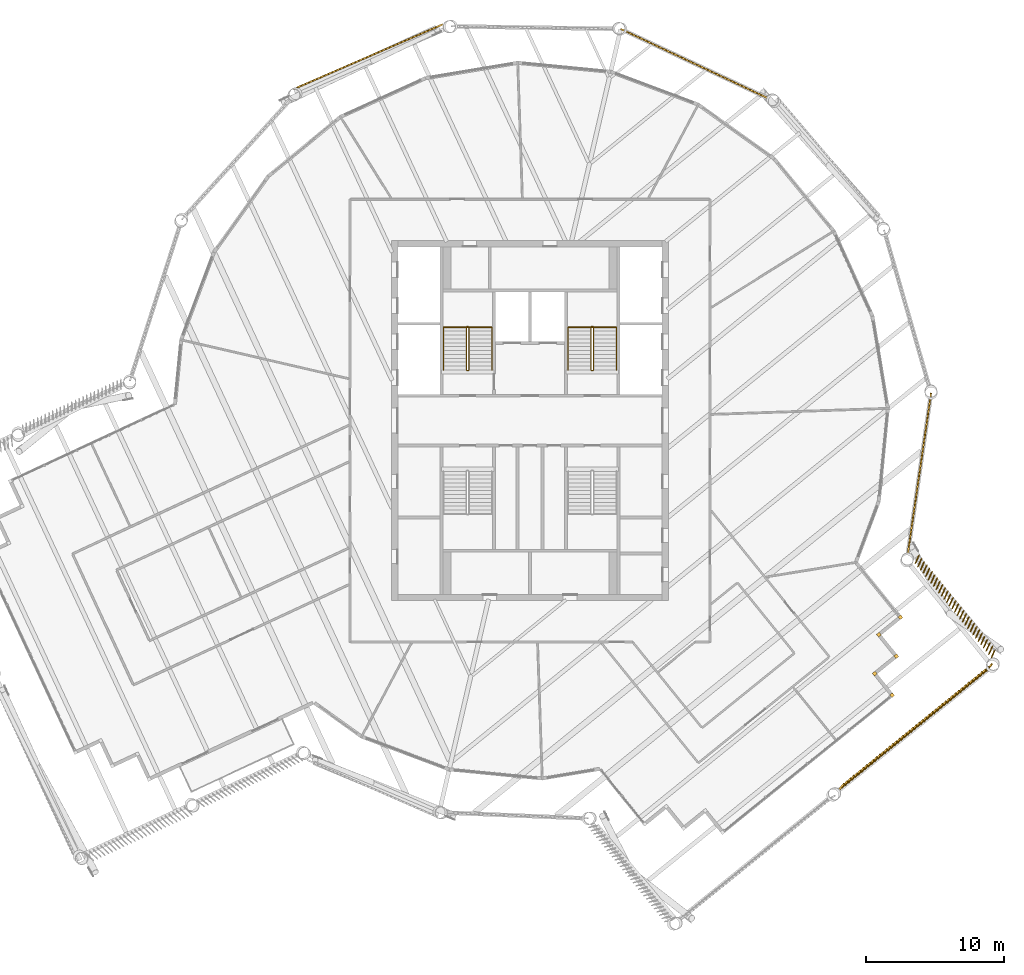
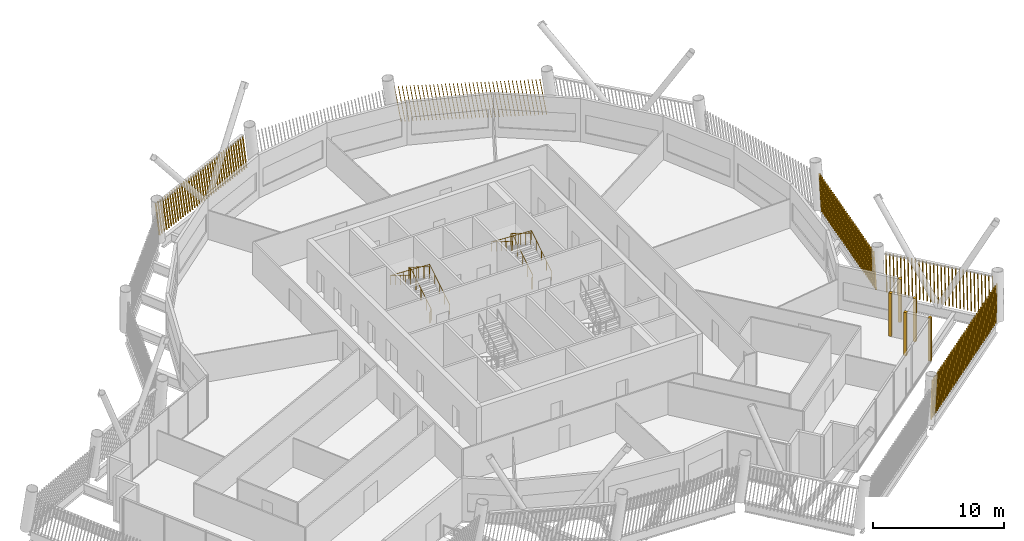
# One storey, part 34 of 36: 10 shading devices, 4 railings.
"""IFC4 building model written with IfcOpenShell, lengths in metres."""

from ifc_helpers import new_model, si_unit, direction, frame, frame_2d, origin, origin_2d, place, context, subcontext, project, spatial, rectangle, circle, composite_profile, extrude, material, type_object, element, save


model = new_model("IFC4")

# Units and contexts
model_context = context("Model", 3, precision=1e-05, world=origin(), true_north=direction((0.0, 1.0)))
body_context = subcontext(model_context, "Body", "Model", "MODEL_VIEW")
ifc_project = project(units=[si_unit("LENGTHUNIT", "METRE"), si_unit("AREAUNIT", "SQUARE_METRE"), si_unit("VOLUMEUNIT", "CUBIC_METRE"), si_unit("PLANEANGLEUNIT", "RADIAN"), si_unit("MASSUNIT", "GRAM", prefix="KILO")], contexts=[model_context])

# Site, building, storey
site_placement = place(None, origin())
site = spatial("IfcSite", under=ifc_project, at=site_placement, CompositionType="ELEMENT")
building_placement = place(site_placement, origin())
building = spatial("IfcBuilding", under=site, at=building_placement, Name="Tarsis Ring Headquarters", CompositionType="ELEMENT")
storey_placement = place(building_placement, frame((0.0, 0.0, 386.0)))
storey = spatial("IfcBuildingStorey", under=building, at=storey_placement, Name="L91", CompositionType="ELEMENT", Elevation=386.0)

# Railings
ifc_material_1 = material(Name="Steel S355", Category="steel")
railing_type_1 = type_object("IfcRailingType", Name="Core stair guard 1100", PredefinedType="GUARDRAIL", material=ifc_material_1)
railing_1_placement = place(storey_placement, frame((-4.5400390625, 3.610107421875, 0.0)))
element("IfcRailing", 1, at=railing_1_placement, inside=storey, type_object=railing_type_1, Name="L91 ST1 stair guard 1", PredefinedType="GUARDRAIL", context=body_context, shape_type="SweptSolid", body=[
    extrude(circle(Radius=0.02392578125, at=origin_2d()), frame((0.0, 0.0, 1.076171875), z_axis=(1.0, 0.0, 0.0), x_axis=(0.0, 1.0, 0.0)), (0.0, 0.0, 1.0), 0.080078125),
    extrude(circle(Radius=0.02392578125, at=origin_2d()), frame((0.080078125, 0.0, 1.076171875), z_axis=(0.265155923931, 0.263862480399, 0.927399011991), x_axis=(-0.705375805398, 0.708833529934, 0.0)), (0.0, 0.0, 1.0), 0.188720703125),
    extrude(circle(Radius=0.02392578125, at=origin_2d()), frame((0.130126953125, 0.0498046875, 1.2509765625), z_axis=(0.0, 0.847998304005, 0.529998940003), x_axis=(-1.0, 0.0, 0.0)), (0.0, 0.0, 1.0), 3.632080078125),
    extrude(circle(Radius=0.02392578125, at=origin_2d()), frame((0.130126953125, 3.1298828125, 3.17626953125), z_axis=(-0.707106781187, 0.707106781187, 0.0), x_axis=(-0.707106781187, -0.707106781187, 0.0)), (0.0, 0.0, 1.0), 0.07080078125),
    extrude(circle(Radius=0.02392578125, at=origin_2d()), frame((0.080078125, 3.179931640625, 3.17626953125), z_axis=(-1.0, 0.0, 0.0), x_axis=(0.0, -1.0, 0.0)), (0.0, 0.0, 1.0), 0.080078125),
    extrude(circle(Radius=0.02392578125, at=origin_2d()), frame((0.0, 3.179931640625, 3.17626953125), z_axis=(-0.265383341853, -0.265383341853, 0.926899867156), x_axis=(0.707106781187, -0.707106781187, 0.0)), (0.0, 0.0, 1.0), 0.1884765625),
    extrude(circle(Radius=0.02392578125, at=origin_2d()), frame((-0.050048828125, 3.1298828125, 3.35107421875), z_axis=(0.0, -0.847998304005, 0.529998940003), x_axis=(1.0, 0.0, 0.0)), (0.0, 0.0, 1.0), 3.632080078125),
    extrude(circle(Radius=0.02099609375, at=origin_2d()), origin(), (0.0, 0.0, 1.0), 1.052001953125),
    extrude(circle(Radius=0.02099609375, at=origin_2d()), frame((0.080078125, 0.0, 0.0)), (0.0, 0.0, 1.0), 1.052001953125),
    extrude(circle(Radius=0.02099609375, at=origin_2d()), frame((0.130126953125, 0.0498046875, 0.175048828125)), (0.0, 0.0, 1.0), 1.052001953125),
    extrude(circle(Radius=0.02099609375, at=origin_2d()), frame((0.130126953125, 0.81982421875, 0.65625)), (0.0, 0.0, 1.0), 1.052001953125),
    extrude(circle(Radius=0.02099609375, at=origin_2d()), frame((0.130126953125, 1.58984375, 1.1376953125)), (0.0, 0.0, 1.0), 1.052001953125),
    extrude(circle(Radius=0.02099609375, at=origin_2d()), frame((0.130126953125, 2.35986328125, 1.618896484375)), (0.0, 0.0, 1.0), 1.052001953125),
    extrude(circle(Radius=0.02099609375, at=origin_2d()), frame((0.130126953125, 3.1298828125, 2.10009765625)), (0.0, 0.0, 1.0), 1.052001953125),
    extrude(circle(Radius=0.02099609375, at=origin_2d()), frame((0.080078125, 3.179931640625, 2.10009765625)), (0.0, 0.0, 1.0), 1.052001953125),
    extrude(circle(Radius=0.02099609375, at=origin_2d()), frame((0.0, 3.179931640625, 2.10009765625)), (0.0, 0.0, 1.0), 1.052001953125),
    extrude(circle(Radius=0.02099609375, at=origin_2d()), frame((-0.050048828125, 3.1298828125, 2.27490234375)), (0.0, 0.0, 1.0), 1.052001953125),
    extrude(circle(Radius=0.02099609375, at=origin_2d()), frame((-0.050048828125, 2.35986328125, 2.756103515625)), (0.0, 0.0, 1.0), 1.052001953125),
    extrude(circle(Radius=0.02099609375, at=origin_2d()), frame((-0.050048828125, 1.58984375, 3.2373046875)), (0.0, 0.0, 1.0), 1.052001953125),
    extrude(circle(Radius=0.02099609375, at=origin_2d()), frame((-0.050048828125, 0.81982421875, 3.71875)), (0.0, 0.0, 1.0), 1.052001953125),
    extrude(circle(Radius=0.02099609375, at=origin_2d()), frame((-0.050048828125, 0.0498046875, 4.199951171875)), (0.0, 0.0, 1.0), 1.052001953125),
])
railing_2_placement = place(storey_placement, frame((4.4599609375, 3.610107421875, 0.0)))
element("IfcRailing", 2, at=railing_2_placement, inside=storey, type_object=railing_type_1, Name="L91 ST2 stair guard 1", PredefinedType="GUARDRAIL", context=body_context, shape_type="SweptSolid", body=[
    extrude(circle(Radius=0.02392578125, at=origin_2d()), frame((0.0, 0.0, 1.076171875), z_axis=(1.0, 0.0, 0.0), x_axis=(0.0, 1.0, 0.0)), (0.0, 0.0, 1.0), 0.080078125),
    extrude(circle(Radius=0.02392578125, at=origin_2d()), frame((0.080078125, 0.0, 1.076171875), z_axis=(0.265155923931, 0.263862480399, 0.927399011991), x_axis=(-0.705375805398, 0.708833529934, 0.0)), (0.0, 0.0, 1.0), 0.188720703125),
    extrude(circle(Radius=0.02392578125, at=origin_2d()), frame((0.130126953125, 0.0498046875, 1.2509765625), z_axis=(0.0, 0.847998304005, 0.529998940003), x_axis=(-1.0, 0.0, 0.0)), (0.0, 0.0, 1.0), 3.632080078125),
    extrude(circle(Radius=0.02392578125, at=origin_2d()), frame((0.130126953125, 3.1298828125, 3.17626953125), z_axis=(-0.707106781187, 0.707106781187, 0.0), x_axis=(-0.707106781187, -0.707106781187, 0.0)), (0.0, 0.0, 1.0), 0.07080078125),
    extrude(circle(Radius=0.02392578125, at=origin_2d()), frame((0.080078125, 3.179931640625, 3.17626953125), z_axis=(-1.0, 0.0, 0.0), x_axis=(0.0, -1.0, 0.0)), (0.0, 0.0, 1.0), 0.080078125),
    extrude(circle(Radius=0.02392578125, at=origin_2d()), frame((0.0, 3.179931640625, 3.17626953125), z_axis=(-0.265383341853, -0.265383341853, 0.926899867156), x_axis=(0.707106781187, -0.707106781187, 0.0)), (0.0, 0.0, 1.0), 0.1884765625),
    extrude(circle(Radius=0.02392578125, at=origin_2d()), frame((-0.050048828125, 3.1298828125, 3.35107421875), z_axis=(0.0, -0.847998304005, 0.529998940003), x_axis=(1.0, 0.0, 0.0)), (0.0, 0.0, 1.0), 3.632080078125),
    extrude(circle(Radius=0.02099609375, at=origin_2d()), origin(), (0.0, 0.0, 1.0), 1.052001953125),
    extrude(circle(Radius=0.02099609375, at=origin_2d()), frame((0.080078125, 0.0, 0.0)), (0.0, 0.0, 1.0), 1.052001953125),
    extrude(circle(Radius=0.02099609375, at=origin_2d()), frame((0.130126953125, 0.0498046875, 0.175048828125)), (0.0, 0.0, 1.0), 1.052001953125),
    extrude(circle(Radius=0.02099609375, at=origin_2d()), frame((0.130126953125, 0.81982421875, 0.65625)), (0.0, 0.0, 1.0), 1.052001953125),
    extrude(circle(Radius=0.02099609375, at=origin_2d()), frame((0.130126953125, 1.58984375, 1.1376953125)), (0.0, 0.0, 1.0), 1.052001953125),
    extrude(circle(Radius=0.02099609375, at=origin_2d()), frame((0.130126953125, 2.35986328125, 1.618896484375)), (0.0, 0.0, 1.0), 1.052001953125),
    extrude(circle(Radius=0.02099609375, at=origin_2d()), frame((0.130126953125, 3.1298828125, 2.10009765625)), (0.0, 0.0, 1.0), 1.052001953125),
    extrude(circle(Radius=0.02099609375, at=origin_2d()), frame((0.080078125, 3.179931640625, 2.10009765625)), (0.0, 0.0, 1.0), 1.052001953125),
    extrude(circle(Radius=0.02099609375, at=origin_2d()), frame((0.0, 3.179931640625, 2.10009765625)), (0.0, 0.0, 1.0), 1.052001953125),
    extrude(circle(Radius=0.02099609375, at=origin_2d()), frame((-0.050048828125, 3.1298828125, 2.27490234375)), (0.0, 0.0, 1.0), 1.052001953125),
    extrude(circle(Radius=0.02099609375, at=origin_2d()), frame((-0.050048828125, 2.35986328125, 2.756103515625)), (0.0, 0.0, 1.0), 1.052001953125),
    extrude(circle(Radius=0.02099609375, at=origin_2d()), frame((-0.050048828125, 1.58984375, 3.2373046875)), (0.0, 0.0, 1.0), 1.052001953125),
    extrude(circle(Radius=0.02099609375, at=origin_2d()), frame((-0.050048828125, 0.81982421875, 3.71875)), (0.0, 0.0, 1.0), 1.052001953125),
    extrude(circle(Radius=0.02099609375, at=origin_2d()), frame((-0.050048828125, 0.0498046875, 4.199951171875)), (0.0, 0.0, 1.0), 1.052001953125),
])
railing_type_2 = type_object("IfcRailingType", Name="Core stair handrail 900", PredefinedType="HANDRAIL", material=ifc_material_1)
railing_3_placement = place(storey_placement, frame((-2.75, 3.659912109375, 0.175048828125)))
element("IfcRailing", 3, at=railing_3_placement, inside=storey, type_object=railing_type_2, Name="L91 ST1 stair handrail 1", PredefinedType="HANDRAIL", context=body_context, shape_type="SweptSolid", body=[
    extrude(circle(Radius=0.02392578125, at=origin_2d()), frame((0.0, 0.0, 0.8759765625), z_axis=(0.0, 0.847998304005, 0.529998940003), x_axis=(-1.0, 0.0, 0.0)), (0.0, 0.0, 1.0), 3.632080078125),
    extrude(circle(Radius=0.02392578125, at=origin_2d()), frame((0.0, 3.080078125, 2.80078125), z_axis=(-0.998755117086, 0.0, 0.049882021752), x_axis=(0.0, -1.0, 0.0)), (0.0, 0.0, 1.0), 3.50439453125),
    extrude(circle(Radius=0.02392578125, at=origin_2d()), frame((-3.5, 3.080078125, 2.9755859375), z_axis=(0.0, -0.847998304005, 0.529998940003), x_axis=(1.0, 0.0, 0.0)), (0.0, 0.0, 1.0), 3.632080078125),
    extrude(circle(Radius=0.02099609375, at=origin_2d()), origin(), (0.0, 0.0, 1.0), 0.851806640625),
    extrude(circle(Radius=0.02099609375, at=origin_2d()), frame((0.0, 0.77001953125, 0.481201171875)), (0.0, 0.0, 1.0), 0.851806640625),
    extrude(circle(Radius=0.02099609375, at=origin_2d()), frame((0.0, 1.5400390625, 0.96240234375)), (0.0, 0.0, 1.0), 0.851806640625),
    extrude(circle(Radius=0.02099609375, at=origin_2d()), frame((0.0, 2.31005859375, 1.44384765625)), (0.0, 0.0, 1.0), 0.851806640625),
    extrude(circle(Radius=0.02099609375, at=origin_2d()), frame((0.0, 3.080078125, 1.925048828125)), (0.0, 0.0, 1.0), 0.851806640625),
    extrude(circle(Radius=0.02099609375, at=origin_2d()), frame((-1.166748046875, 3.080078125, 1.9833984375)), (0.0, 0.0, 1.0), 0.851806640625),
    extrude(circle(Radius=0.02099609375, at=origin_2d()), frame((-2.333251953125, 3.080078125, 2.04150390625)), (0.0, 0.0, 1.0), 0.851806640625),
    extrude(circle(Radius=0.02099609375, at=origin_2d()), frame((-3.5, 3.080078125, 2.099853515625)), (0.0, 0.0, 1.0), 0.851806640625),
    extrude(circle(Radius=0.02099609375, at=origin_2d()), frame((-3.5, 2.31005859375, 2.5810546875)), (0.0, 0.0, 1.0), 0.851806640625),
    extrude(circle(Radius=0.02099609375, at=origin_2d()), frame((-3.5, 1.5400390625, 3.0625)), (0.0, 0.0, 1.0), 0.851806640625),
    extrude(circle(Radius=0.02099609375, at=origin_2d()), frame((-3.5, 0.77001953125, 3.543701171875)), (0.0, 0.0, 1.0), 0.851806640625),
    extrude(circle(Radius=0.02099609375, at=origin_2d()), frame((-3.5, 0.0, 4.02490234375)), (0.0, 0.0, 1.0), 0.851806640625),
])
railing_4_placement = place(storey_placement, frame((6.25, 3.659912109375, 0.175048828125)))
element("IfcRailing", 4, at=railing_4_placement, inside=storey, type_object=railing_type_2, Name="L91 ST2 stair handrail 1", PredefinedType="HANDRAIL", context=body_context, shape_type="SweptSolid", body=[
    extrude(circle(Radius=0.02392578125, at=origin_2d()), frame((0.0, 0.0, 0.8759765625), z_axis=(0.0, 0.847998304005, 0.529998940003), x_axis=(-1.0, 0.0, 0.0)), (0.0, 0.0, 1.0), 3.632080078125),
    extrude(circle(Radius=0.02392578125, at=origin_2d()), frame((0.0, 3.080078125, 2.80078125), z_axis=(-0.998755117086, 0.0, 0.049882021752), x_axis=(0.0, -1.0, 0.0)), (0.0, 0.0, 1.0), 3.50439453125),
    extrude(circle(Radius=0.02392578125, at=origin_2d()), frame((-3.5, 3.080078125, 2.9755859375), z_axis=(0.0, -0.847998304005, 0.529998940003), x_axis=(1.0, 0.0, 0.0)), (0.0, 0.0, 1.0), 3.632080078125),
    extrude(circle(Radius=0.02099609375, at=origin_2d()), origin(), (0.0, 0.0, 1.0), 0.851806640625),
    extrude(circle(Radius=0.02099609375, at=origin_2d()), frame((0.0, 0.77001953125, 0.481201171875)), (0.0, 0.0, 1.0), 0.851806640625),
    extrude(circle(Radius=0.02099609375, at=origin_2d()), frame((0.0, 1.5400390625, 0.96240234375)), (0.0, 0.0, 1.0), 0.851806640625),
    extrude(circle(Radius=0.02099609375, at=origin_2d()), frame((0.0, 2.31005859375, 1.44384765625)), (0.0, 0.0, 1.0), 0.851806640625),
    extrude(circle(Radius=0.02099609375, at=origin_2d()), frame((0.0, 3.080078125, 1.925048828125)), (0.0, 0.0, 1.0), 0.851806640625),
    extrude(circle(Radius=0.02099609375, at=origin_2d()), frame((-1.166748046875, 3.080078125, 1.9833984375)), (0.0, 0.0, 1.0), 0.851806640625),
    extrude(circle(Radius=0.02099609375, at=origin_2d()), frame((-2.333251953125, 3.080078125, 2.04150390625)), (0.0, 0.0, 1.0), 0.851806640625),
    extrude(circle(Radius=0.02099609375, at=origin_2d()), frame((-3.5, 3.080078125, 2.099853515625)), (0.0, 0.0, 1.0), 0.851806640625),
    extrude(circle(Radius=0.02099609375, at=origin_2d()), frame((-3.5, 2.31005859375, 2.5810546875)), (0.0, 0.0, 1.0), 0.851806640625),
    extrude(circle(Radius=0.02099609375, at=origin_2d()), frame((-3.5, 1.5400390625, 3.0625)), (0.0, 0.0, 1.0), 0.851806640625),
    extrude(circle(Radius=0.02099609375, at=origin_2d()), frame((-3.5, 0.77001953125, 3.543701171875)), (0.0, 0.0, 1.0), 0.851806640625),
    extrude(circle(Radius=0.02099609375, at=origin_2d()), frame((-3.5, 0.0, 4.02490234375)), (0.0, 0.0, 1.0), 0.851806640625),
])

# Shading devices
ifc_material_2 = material(Name="Terracotta baguette", Category="masonry")
shading_device_type_1 = type_object("IfcShadingDeviceType", Name="Terracotta baguette screen", PredefinedType="USERDEFINED", material=ifc_material_2)
shading_device_1_placement = place(storey_placement, frame((22.270263671875, -26.74560546875, 0.0), z_axis=(0.0, 0.0, 1.0), x_axis=(0.777585139319, 0.628783724016, 0.0)))
element("IfcShadingDevice", 5, at=shading_device_1_placement, inside=storey, type_object=shading_device_type_1, Name="Baguette screen L91-03", ObjectType="Terracotta baguette screen", PredefinedType="USERDEFINED", context=body_context, shape_type="SweptSolid", body=[
    extrude(composite_profile([rectangle(XDim=0.06005859375, YDim=0.1201171875, at=frame_2d((0.030029296875, 0.0))), rectangle(XDim=0.06005859375, YDim=0.1201171875, at=frame_2d((0.33544921875, 0.0))), rectangle(XDim=0.06005859375, YDim=0.1201171875, at=frame_2d((0.640625, 0.0))), rectangle(XDim=0.06005859375, YDim=0.1201171875, at=frame_2d((0.946044921875, 0.0))), rectangle(XDim=0.06005859375, YDim=0.1201171875, at=frame_2d((1.25146484375, 0.0))), rectangle(XDim=0.06005859375, YDim=0.1201171875, at=frame_2d((1.556640625, 0.0))), rectangle(XDim=0.06005859375, YDim=0.1201171875, at=frame_2d((1.862060546875, 0.0))), rectangle(XDim=0.06005859375, YDim=0.1201171875, at=frame_2d((2.16748046875, 0.0))), rectangle(XDim=0.06005859375, YDim=0.1201171875, at=frame_2d((2.47265625, 0.0))), rectangle(XDim=0.06005859375, YDim=0.1201171875, at=frame_2d((2.778076171875, 0.0))), rectangle(XDim=0.06005859375, YDim=0.1201171875, at=frame_2d((3.08349609375, 0.0))), rectangle(XDim=0.06005859375, YDim=0.1201171875, at=frame_2d((3.388671875, 0.0))), rectangle(XDim=0.06005859375, YDim=0.1201171875, at=frame_2d((3.694091796875, 0.0))), rectangle(XDim=0.06005859375, YDim=0.1201171875, at=frame_2d((3.99951171875, 0.0))), rectangle(XDim=0.06005859375, YDim=0.1201171875, at=frame_2d((4.3046875, 0.0))), rectangle(XDim=0.06005859375, YDim=0.1201171875, at=frame_2d((4.610107421875, 0.0))), rectangle(XDim=0.06005859375, YDim=0.1201171875, at=frame_2d((4.91552734375, 0.0))), rectangle(XDim=0.06005859375, YDim=0.1201171875, at=frame_2d((5.220703125, 0.0))), rectangle(XDim=0.06005859375, YDim=0.1201171875, at=frame_2d((5.526123046875, 0.0))), rectangle(XDim=0.06005859375, YDim=0.1201171875, at=frame_2d((5.83154296875, 0.0))), rectangle(XDim=0.06005859375, YDim=0.1201171875, at=frame_2d((6.13671875, 0.0))), rectangle(XDim=0.06005859375, YDim=0.1201171875, at=frame_2d((6.442138671875, 0.0))), rectangle(XDim=0.06005859375, YDim=0.1201171875, at=frame_2d((6.74755859375, 0.0))), rectangle(XDim=0.06005859375, YDim=0.1201171875, at=frame_2d((7.052734375, 0.0))), rectangle(XDim=0.06005859375, YDim=0.1201171875, at=frame_2d((7.358154296875, 0.0))), rectangle(XDim=0.06005859375, YDim=0.1201171875, at=frame_2d((7.66357421875, 0.0))), rectangle(XDim=0.06005859375, YDim=0.1201171875, at=frame_2d((7.96875, 0.0))), rectangle(XDim=0.06005859375, YDim=0.1201171875, at=frame_2d((8.274169921875, 0.0))), rectangle(XDim=0.06005859375, YDim=0.1201171875, at=frame_2d((8.57958984375, 0.0))), rectangle(XDim=0.06005859375, YDim=0.1201171875, at=frame_2d((8.884765625, 0.0))), rectangle(XDim=0.06005859375, YDim=0.1201171875, at=frame_2d((9.190185546875, 0.0))), rectangle(XDim=0.06005859375, YDim=0.1201171875, at=frame_2d((9.49560546875, 0.0))), rectangle(XDim=0.06005859375, YDim=0.1201171875, at=frame_2d((9.80078125, 0.0))), rectangle(XDim=0.06005859375, YDim=0.1201171875, at=frame_2d((10.106201171875, 0.0))), rectangle(XDim=0.06005859375, YDim=0.1201171875, at=frame_2d((10.41162109375, 0.0))), rectangle(XDim=0.06005859375, YDim=0.1201171875, at=frame_2d((10.716796875, 0.0))), rectangle(XDim=0.06005859375, YDim=0.1201171875, at=frame_2d((11.022216796875, 0.0))), rectangle(XDim=0.06005859375, YDim=0.1201171875, at=frame_2d((11.32763671875, 0.0))), rectangle(XDim=0.06005859375, YDim=0.1201171875, at=frame_2d((11.6328125, 0.0))), rectangle(XDim=0.06005859375, YDim=0.1201171875, at=frame_2d((11.938232421875, 0.0))), rectangle(XDim=0.06005859375, YDim=0.1201171875, at=frame_2d((12.24365234375, 0.0))), rectangle(XDim=0.06005859375, YDim=0.1201171875, at=frame_2d((12.548828125, 0.0))), rectangle(XDim=0.06005859375, YDim=0.1201171875, at=frame_2d((12.854248046875, 0.0))), rectangle(XDim=0.06005859375, YDim=0.1201171875, at=frame_2d((13.15966796875, 0.0))), rectangle(XDim=0.06005859375, YDim=0.1201171875, at=frame_2d((13.46484375, 0.0))), rectangle(XDim=0.06005859375, YDim=0.1201171875, at=frame_2d((13.770263671875, 0.0)))]), origin(), (0.18855207757, 0.04188543843, 0.981169569489), 3.343505859375),
])
shading_device_2_placement = place(storey_placement, frame((33.366943359375, -17.12939453125, 0.0), z_axis=(0.0, 0.0, 1.0), x_axis=(-0.628788508998, 0.777583673017, 0.0)))
element("IfcShadingDevice", 6, at=shading_device_2_placement, inside=storey, type_object=shading_device_type_1, Name="Baguette screen L91-04", ObjectType="Terracotta baguette screen", PredefinedType="USERDEFINED", context=body_context, shape_type="SweptSolid", body=[
    extrude(composite_profile([rectangle(XDim=0.06005859375, YDim=0.1201171875, at=frame_2d((0.030029296875, 0.0))), rectangle(XDim=0.06005859375, YDim=0.1201171875, at=frame_2d((0.33154296875, 0.0))), rectangle(XDim=0.06005859375, YDim=0.1201171875, at=frame_2d((0.633056640625, 0.0))), rectangle(XDim=0.06005859375, YDim=0.1201171875, at=frame_2d((0.9345703125, 0.0))), rectangle(XDim=0.06005859375, YDim=0.1201171875, at=frame_2d((1.236083984375, 0.0))), rectangle(XDim=0.06005859375, YDim=0.1201171875, at=frame_2d((1.53759765625, 0.0))), rectangle(XDim=0.06005859375, YDim=0.1201171875, at=frame_2d((1.839111328125, 0.0))), rectangle(XDim=0.06005859375, YDim=0.1201171875, at=frame_2d((2.140625, 0.0))), rectangle(XDim=0.06005859375, YDim=0.1201171875, at=frame_2d((2.442138671875, 0.0))), rectangle(XDim=0.06005859375, YDim=0.1201171875, at=frame_2d((2.74365234375, 0.0))), rectangle(XDim=0.06005859375, YDim=0.1201171875, at=frame_2d((3.045166015625, 0.0))), rectangle(XDim=0.06005859375, YDim=0.1201171875, at=frame_2d((3.3466796875, 0.0))), rectangle(XDim=0.06005859375, YDim=0.1201171875, at=frame_2d((3.648193359375, 0.0))), rectangle(XDim=0.06005859375, YDim=0.1201171875, at=frame_2d((3.94970703125, 0.0))), rectangle(XDim=0.06005859375, YDim=0.1201171875, at=frame_2d((4.251220703125, 0.0))), rectangle(XDim=0.06005859375, YDim=0.1201171875, at=frame_2d((4.552978515625, 0.0))), rectangle(XDim=0.06005859375, YDim=0.1201171875, at=frame_2d((4.8544921875, 0.0))), rectangle(XDim=0.06005859375, YDim=0.1201171875, at=frame_2d((5.156005859375, 0.0))), rectangle(XDim=0.06005859375, YDim=0.1201171875, at=frame_2d((5.45751953125, 0.0))), rectangle(XDim=0.06005859375, YDim=0.1201171875, at=frame_2d((5.759033203125, 0.0))), rectangle(XDim=0.06005859375, YDim=0.1201171875, at=frame_2d((6.060546875, 0.0))), rectangle(XDim=0.06005859375, YDim=0.1201171875, at=frame_2d((6.362060546875, 0.0))), rectangle(XDim=0.06005859375, YDim=0.1201171875, at=frame_2d((6.66357421875, 0.0))), rectangle(XDim=0.06005859375, YDim=0.1201171875, at=frame_2d((6.965087890625, 0.0))), rectangle(XDim=0.06005859375, YDim=0.1201171875, at=frame_2d((7.2666015625, 0.0))), rectangle(XDim=0.06005859375, YDim=0.1201171875, at=frame_2d((7.568115234375, 0.0))), rectangle(XDim=0.06005859375, YDim=0.1201171875, at=frame_2d((7.86962890625, 0.0))), rectangle(XDim=0.06005859375, YDim=0.1201171875, at=frame_2d((8.171142578125, 0.0))), rectangle(XDim=0.06005859375, YDim=0.1201171875, at=frame_2d((8.47265625, 0.0))), rectangle(XDim=0.06005859375, YDim=0.1201171875, at=frame_2d((8.774169921875, 0.0)))]), origin(), (0.084026650207, -0.161895664613, 0.98322393982), 3.33642578125),
])
shading_device_3_placement = place(storey_placement, frame((27.296630859375, -9.635498046875, 0.0), z_axis=(0.0, 0.0, 1.0), x_axis=(0.1432881172, 0.989690721649, 0.0)))
element("IfcShadingDevice", 7, at=shading_device_3_placement, inside=storey, type_object=shading_device_type_1, Name="Baguette screen L91-05", ObjectType="Terracotta baguette screen", PredefinedType="USERDEFINED", context=body_context, shape_type="SweptSolid", body=[
    extrude(composite_profile([rectangle(XDim=0.06005859375, YDim=0.1201171875, at=frame_2d((0.030029296875, 0.0))), rectangle(XDim=0.06005859375, YDim=0.1201171875, at=frame_2d((0.33251953125, 0.0))), rectangle(XDim=0.06005859375, YDim=0.1201171875, at=frame_2d((0.634765625, 0.0))), rectangle(XDim=0.06005859375, YDim=0.1201171875, at=frame_2d((0.937255859375, 0.0))), rectangle(XDim=0.06005859375, YDim=0.1201171875, at=frame_2d((1.239501953125, 0.0))), rectangle(XDim=0.06005859375, YDim=0.1201171875, at=frame_2d((1.5419921875, 0.0))), rectangle(XDim=0.06005859375, YDim=0.1201171875, at=frame_2d((1.844482421875, 0.0))), rectangle(XDim=0.06005859375, YDim=0.1201171875, at=frame_2d((2.146728515625, 0.0))), rectangle(XDim=0.06005859375, YDim=0.1201171875, at=frame_2d((2.44921875, 0.0))), rectangle(XDim=0.06005859375, YDim=0.1201171875, at=frame_2d((2.751708984375, 0.0))), rectangle(XDim=0.06005859375, YDim=0.1201171875, at=frame_2d((3.053955078125, 0.0))), rectangle(XDim=0.06005859375, YDim=0.1201171875, at=frame_2d((3.3564453125, 0.0))), rectangle(XDim=0.06005859375, YDim=0.1201171875, at=frame_2d((3.65869140625, 0.0))), rectangle(XDim=0.06005859375, YDim=0.1201171875, at=frame_2d((3.961181640625, 0.0))), rectangle(XDim=0.06005859375, YDim=0.1201171875, at=frame_2d((4.263671875, 0.0))), rectangle(XDim=0.06005859375, YDim=0.1201171875, at=frame_2d((4.56591796875, 0.0))), rectangle(XDim=0.06005859375, YDim=0.1201171875, at=frame_2d((4.868408203125, 0.0))), rectangle(XDim=0.06005859375, YDim=0.1201171875, at=frame_2d((5.1708984375, 0.0))), rectangle(XDim=0.06005859375, YDim=0.1201171875, at=frame_2d((5.47314453125, 0.0))), rectangle(XDim=0.06005859375, YDim=0.1201171875, at=frame_2d((5.775634765625, 0.0))), rectangle(XDim=0.06005859375, YDim=0.1201171875, at=frame_2d((6.077880859375, 0.0))), rectangle(XDim=0.06005859375, YDim=0.1201171875, at=frame_2d((6.38037109375, 0.0))), rectangle(XDim=0.06005859375, YDim=0.1201171875, at=frame_2d((6.682861328125, 0.0))), rectangle(XDim=0.06005859375, YDim=0.1201171875, at=frame_2d((6.985107421875, 0.0))), rectangle(XDim=0.06005859375, YDim=0.1201171875, at=frame_2d((7.28759765625, 0.0))), rectangle(XDim=0.06005859375, YDim=0.1201171875, at=frame_2d((7.590087890625, 0.0))), rectangle(XDim=0.06005859375, YDim=0.1201171875, at=frame_2d((7.892333984375, 0.0))), rectangle(XDim=0.06005859375, YDim=0.1201171875, at=frame_2d((8.19482421875, 0.0))), rectangle(XDim=0.06005859375, YDim=0.1201171875, at=frame_2d((8.4970703125, 0.0))), rectangle(XDim=0.06005859375, YDim=0.1201171875, at=frame_2d((8.799560546875, 0.0))), rectangle(XDim=0.06005859375, YDim=0.1201171875, at=frame_2d((9.10205078125, 0.0))), rectangle(XDim=0.06005859375, YDim=0.1201171875, at=frame_2d((9.404296875, 0.0))), rectangle(XDim=0.06005859375, YDim=0.1201171875, at=frame_2d((9.706787109375, 0.0))), rectangle(XDim=0.06005859375, YDim=0.1201171875, at=frame_2d((10.00927734375, 0.0))), rectangle(XDim=0.06005859375, YDim=0.1201171875, at=frame_2d((10.3115234375, 0.0))), rectangle(XDim=0.06005859375, YDim=0.1201171875, at=frame_2d((10.614013671875, 0.0))), rectangle(XDim=0.06005859375, YDim=0.1201171875, at=frame_2d((10.916259765625, 0.0))), rectangle(XDim=0.06005859375, YDim=0.1201171875, at=frame_2d((11.21875, 0.0)))]), origin(), (0.155204171279, 0.001406584322, 0.987881413297), 3.32080078125),
])
shading_device_4_placement = place(storey_placement, frame((17.183837890625, 23.294921875, 0.0), z_axis=(0.0, 0.0, 1.0), x_axis=(-0.904742268041, 0.425957677699, 0.0)))
element("IfcShadingDevice", 8, at=shading_device_4_placement, inside=storey, type_object=shading_device_type_1, Name="Baguette screen L91-08", ObjectType="Terracotta baguette screen", PredefinedType="USERDEFINED", context=body_context, shape_type="SweptSolid", body=[
    extrude(composite_profile([rectangle(XDim=0.06005859375, YDim=0.1201171875, at=frame_2d((0.030029296875, 0.0))), rectangle(XDim=0.06005859375, YDim=0.1201171875, at=frame_2d((0.33251953125, 0.0))), rectangle(XDim=0.06005859375, YDim=0.1201171875, at=frame_2d((0.634765625, 0.0))), rectangle(XDim=0.06005859375, YDim=0.1201171875, at=frame_2d((0.937255859375, 0.0))), rectangle(XDim=0.06005859375, YDim=0.1201171875, at=frame_2d((1.239501953125, 0.0))), rectangle(XDim=0.06005859375, YDim=0.1201171875, at=frame_2d((1.5419921875, 0.0))), rectangle(XDim=0.06005859375, YDim=0.1201171875, at=frame_2d((1.844482421875, 0.0))), rectangle(XDim=0.06005859375, YDim=0.1201171875, at=frame_2d((2.146728515625, 0.0))), rectangle(XDim=0.06005859375, YDim=0.1201171875, at=frame_2d((2.44921875, 0.0))), rectangle(XDim=0.06005859375, YDim=0.1201171875, at=frame_2d((2.751708984375, 0.0))), rectangle(XDim=0.06005859375, YDim=0.1201171875, at=frame_2d((3.053955078125, 0.0))), rectangle(XDim=0.06005859375, YDim=0.1201171875, at=frame_2d((3.3564453125, 0.0))), rectangle(XDim=0.06005859375, YDim=0.1201171875, at=frame_2d((3.65869140625, 0.0))), rectangle(XDim=0.06005859375, YDim=0.1201171875, at=frame_2d((3.961181640625, 0.0))), rectangle(XDim=0.06005859375, YDim=0.1201171875, at=frame_2d((4.263671875, 0.0))), rectangle(XDim=0.06005859375, YDim=0.1201171875, at=frame_2d((4.56591796875, 0.0))), rectangle(XDim=0.06005859375, YDim=0.1201171875, at=frame_2d((4.868408203125, 0.0))), rectangle(XDim=0.06005859375, YDim=0.1201171875, at=frame_2d((5.1708984375, 0.0))), rectangle(XDim=0.06005859375, YDim=0.1201171875, at=frame_2d((5.47314453125, 0.0))), rectangle(XDim=0.06005859375, YDim=0.1201171875, at=frame_2d((5.775634765625, 0.0))), rectangle(XDim=0.06005859375, YDim=0.1201171875, at=frame_2d((6.077880859375, 0.0))), rectangle(XDim=0.06005859375, YDim=0.1201171875, at=frame_2d((6.38037109375, 0.0))), rectangle(XDim=0.06005859375, YDim=0.1201171875, at=frame_2d((6.682861328125, 0.0))), rectangle(XDim=0.06005859375, YDim=0.1201171875, at=frame_2d((6.985107421875, 0.0))), rectangle(XDim=0.06005859375, YDim=0.1201171875, at=frame_2d((7.28759765625, 0.0))), rectangle(XDim=0.06005859375, YDim=0.1201171875, at=frame_2d((7.590087890625, 0.0))), rectangle(XDim=0.06005859375, YDim=0.1201171875, at=frame_2d((7.892333984375, 0.0))), rectangle(XDim=0.06005859375, YDim=0.1201171875, at=frame_2d((8.19482421875, 0.0))), rectangle(XDim=0.06005859375, YDim=0.1201171875, at=frame_2d((8.4970703125, 0.0))), rectangle(XDim=0.06005859375, YDim=0.1201171875, at=frame_2d((8.799560546875, 0.0))), rectangle(XDim=0.06005859375, YDim=0.1201171875, at=frame_2d((9.10205078125, 0.0))), rectangle(XDim=0.06005859375, YDim=0.1201171875, at=frame_2d((9.404296875, 0.0))), rectangle(XDim=0.06005859375, YDim=0.1201171875, at=frame_2d((9.706787109375, 0.0))), rectangle(XDim=0.06005859375, YDim=0.1201171875, at=frame_2d((10.00927734375, 0.0))), rectangle(XDim=0.06005859375, YDim=0.1201171875, at=frame_2d((10.3115234375, 0.0))), rectangle(XDim=0.06005859375, YDim=0.1201171875, at=frame_2d((10.614013671875, 0.0))), rectangle(XDim=0.06005859375, YDim=0.1201171875, at=frame_2d((10.916259765625, 0.0))), rectangle(XDim=0.06005859375, YDim=0.1201171875, at=frame_2d((11.21875, 0.0)))]), origin(), (0.155202557406, 0.001408856893, 0.98788166361), 3.32080078125),
])
shading_device_5_placement = place(storey_placement, frame((-6.30126953125, 28.6298828125, 0.0), z_axis=(0.0, 0.0, 1.0), x_axis=(-0.917243624525, -0.39832881172, 0.0)))
element("IfcShadingDevice", 9, at=shading_device_5_placement, inside=storey, type_object=shading_device_type_1, Name="Baguette screen L91-10", ObjectType="Terracotta baguette screen", PredefinedType="USERDEFINED", context=body_context, shape_type="SweptSolid", body=[
    extrude(composite_profile([rectangle(XDim=0.06005859375, YDim=0.1201171875, at=frame_2d((0.030029296875, 0.0))), rectangle(XDim=0.06005859375, YDim=0.1201171875, at=frame_2d((0.33251953125, 0.0))), rectangle(XDim=0.06005859375, YDim=0.1201171875, at=frame_2d((0.634765625, 0.0))), rectangle(XDim=0.06005859375, YDim=0.1201171875, at=frame_2d((0.937255859375, 0.0))), rectangle(XDim=0.06005859375, YDim=0.1201171875, at=frame_2d((1.239501953125, 0.0))), rectangle(XDim=0.06005859375, YDim=0.1201171875, at=frame_2d((1.5419921875, 0.0))), rectangle(XDim=0.06005859375, YDim=0.1201171875, at=frame_2d((1.844482421875, 0.0))), rectangle(XDim=0.06005859375, YDim=0.1201171875, at=frame_2d((2.146728515625, 0.0))), rectangle(XDim=0.06005859375, YDim=0.1201171875, at=frame_2d((2.44921875, 0.0))), rectangle(XDim=0.06005859375, YDim=0.1201171875, at=frame_2d((2.751708984375, 0.0))), rectangle(XDim=0.06005859375, YDim=0.1201171875, at=frame_2d((3.053955078125, 0.0))), rectangle(XDim=0.06005859375, YDim=0.1201171875, at=frame_2d((3.3564453125, 0.0))), rectangle(XDim=0.06005859375, YDim=0.1201171875, at=frame_2d((3.65869140625, 0.0))), rectangle(XDim=0.06005859375, YDim=0.1201171875, at=frame_2d((3.961181640625, 0.0))), rectangle(XDim=0.06005859375, YDim=0.1201171875, at=frame_2d((4.263671875, 0.0))), rectangle(XDim=0.06005859375, YDim=0.1201171875, at=frame_2d((4.56591796875, 0.0))), rectangle(XDim=0.06005859375, YDim=0.1201171875, at=frame_2d((4.868408203125, 0.0))), rectangle(XDim=0.06005859375, YDim=0.1201171875, at=frame_2d((5.1708984375, 0.0))), rectangle(XDim=0.06005859375, YDim=0.1201171875, at=frame_2d((5.47314453125, 0.0))), rectangle(XDim=0.06005859375, YDim=0.1201171875, at=frame_2d((5.775634765625, 0.0))), rectangle(XDim=0.06005859375, YDim=0.1201171875, at=frame_2d((6.077880859375, 0.0))), rectangle(XDim=0.06005859375, YDim=0.1201171875, at=frame_2d((6.38037109375, 0.0))), rectangle(XDim=0.06005859375, YDim=0.1201171875, at=frame_2d((6.682861328125, 0.0))), rectangle(XDim=0.06005859375, YDim=0.1201171875, at=frame_2d((6.985107421875, 0.0))), rectangle(XDim=0.06005859375, YDim=0.1201171875, at=frame_2d((7.28759765625, 0.0))), rectangle(XDim=0.06005859375, YDim=0.1201171875, at=frame_2d((7.590087890625, 0.0))), rectangle(XDim=0.06005859375, YDim=0.1201171875, at=frame_2d((7.892333984375, 0.0))), rectangle(XDim=0.06005859375, YDim=0.1201171875, at=frame_2d((8.19482421875, 0.0))), rectangle(XDim=0.06005859375, YDim=0.1201171875, at=frame_2d((8.4970703125, 0.0))), rectangle(XDim=0.06005859375, YDim=0.1201171875, at=frame_2d((8.799560546875, 0.0))), rectangle(XDim=0.06005859375, YDim=0.1201171875, at=frame_2d((9.10205078125, 0.0))), rectangle(XDim=0.06005859375, YDim=0.1201171875, at=frame_2d((9.404296875, 0.0))), rectangle(XDim=0.06005859375, YDim=0.1201171875, at=frame_2d((9.706787109375, 0.0))), rectangle(XDim=0.06005859375, YDim=0.1201171875, at=frame_2d((10.00927734375, 0.0))), rectangle(XDim=0.06005859375, YDim=0.1201171875, at=frame_2d((10.3115234375, 0.0))), rectangle(XDim=0.06005859375, YDim=0.1201171875, at=frame_2d((10.614013671875, 0.0))), rectangle(XDim=0.06005859375, YDim=0.1201171875, at=frame_2d((10.916259765625, 0.0))), rectangle(XDim=0.06005859375, YDim=0.1201171875, at=frame_2d((11.21875, 0.0)))]), origin(), (0.157202272598, 0.001426947296, 0.987565394954), 3.32177734375),
])
shading_device_type_2 = type_object("IfcShadingDeviceType", Name="Terracotta corner baguette 250x250", PredefinedType="USERDEFINED", material=ifc_material_2)
for number, where, z_axis, x_axis, name in (
    (10, (26.165771484375, -19.833984375, 0.0), (0.0, 0.0, 1.0), (0.77758512055, 0.628777687501, 0.0), "Corner baguette L91-12"),
    (11, (24.908203125, -18.27880859375, 0.0), (0.0, 0.0, 1.0), (-0.628777931786, 0.777584923014, 0.0), "Corner baguette L91-13"),
    (12, (26.46337890625, -17.021240234375, 0.0), (0.0, 0.0, 1.0), (0.777585164447, 0.628777633215, 0.0), "Corner baguette L91-14"),
    (13, (25.205810546875, -15.466064453125, 0.0), (0.0, 0.0, 1.0), (-0.628777334644, 0.777585405881, 0.0), "Corner baguette L91-15"),
    (14, (26.760986328125, -14.20849609375, 0.0), (0.0, 0.0, 1.0), (0.777584923014, 0.628777931786, 0.0), "Corner baguette L91-16"),
):
    element("IfcShadingDevice", number, at=place(storey_placement, frame(where, z_axis=z_axis, x_axis=x_axis)), inside=storey, type_object=shading_device_type_2, Name=name, ObjectType="Terracotta corner baguette", PredefinedType="USERDEFINED", context=body_context, shape_type="SweptSolid", body=[
        extrude(rectangle(XDim=0.25, YDim=0.25, at=origin_2d()), origin(), (0.0, 0.0, 1.0), 4.0400390625),
    ])

save(model, "model.ifc")
